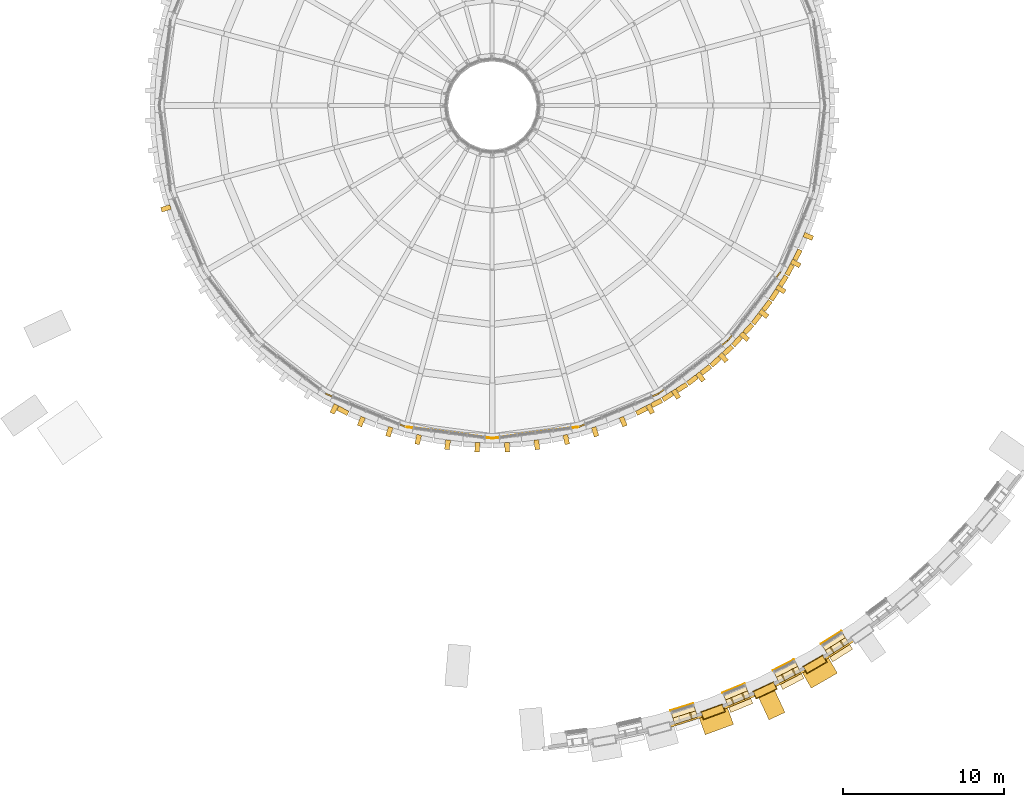
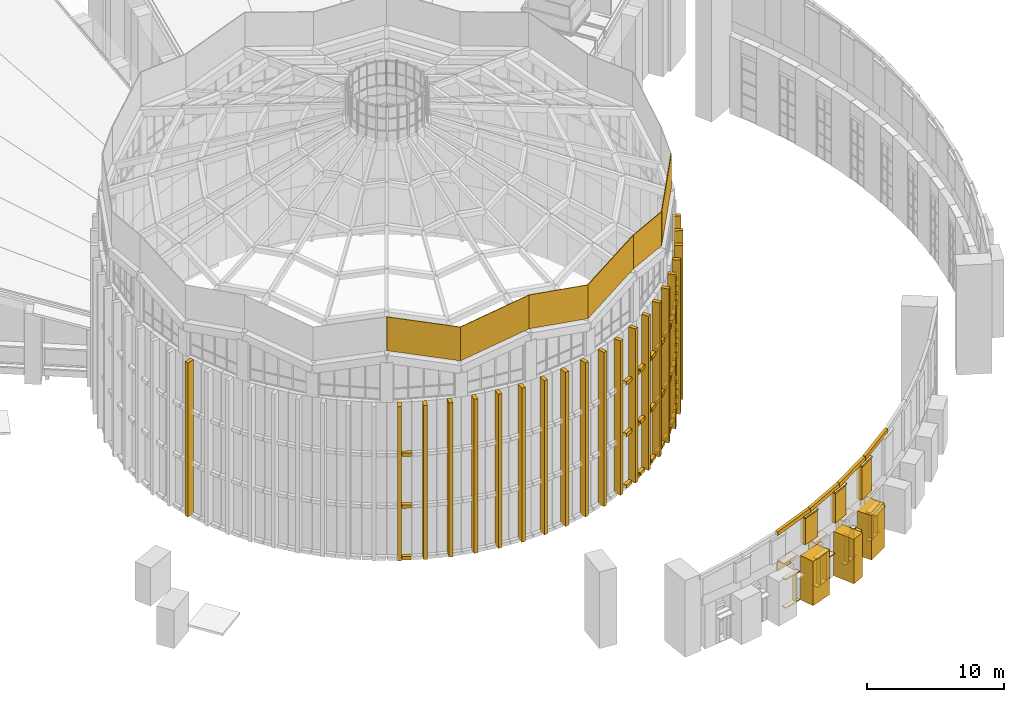
# One storey, part 64 of 82: 117 coverings.
"""IFC4 building model written with IfcOpenShell, lengths in metres."""

from ifc_helpers import new_model, si_unit, direction, frame, origin, origin_2d, place, context, subcontext, project, spatial, polyline, rectangle, outline, extrude, material, layer, layer_set, type_object, element, save


model = new_model("IFC4")

# Units and contexts
model_context = context("Model", 3, precision=1e-05, world=origin(), true_north=direction((0.0, 1.0)))
body_context = subcontext(model_context, "Body", "Model", "MODEL_VIEW")
ifc_project = project(units=[si_unit("LENGTHUNIT", "METRE"), si_unit("AREAUNIT", "SQUARE_METRE"), si_unit("VOLUMEUNIT", "CUBIC_METRE"), si_unit("PLANEANGLEUNIT", "RADIAN"), si_unit("MASSUNIT", "GRAM", prefix="KILO")], contexts=[model_context])

# Site, building, storey
site_placement = place(None, origin())
site = spatial("IfcSite", under=ifc_project, at=site_placement, CompositionType="ELEMENT")
building_placement = place(site_placement, origin())
building = spatial("IfcBuilding", under=site, at=building_placement, Name="Volute Hill Aquarium", CompositionType="ELEMENT")
storey_placement = place(building_placement, frame((0.0, 0.0, 13.800048828125)))
storey = spatial("IfcBuildingStorey", under=building, at=storey_placement, Name="L04", CompositionType="ELEMENT", Elevation=13.800048828125)

# Coverings
ifc_material_1 = material(Name="Precast concrete C40/50", Category="concrete")
covering_type_1 = type_object("IfcCoveringType", Name="Crown coping beam precast concrete C40/50 250x350", PredefinedType="CLADDING", material=ifc_material_1)
covering_1_placement = place(storey_placement, frame((10.42431640625, -38.88330078125, 7.045654296875), z_axis=(0.300747562441, -0.95370378194, 0.0), x_axis=(0.950404397433, 0.299707111657, 0.083109136458)))
element("IfcCovering", 1, at=covering_1_placement, inside=storey, type_object=covering_type_1, Name="Crown coping beam PCB S3 b02", PredefinedType="CLADDING", context=body_context, shape_type="SweptSolid", body=[
    extrude(outline(polyline([(0.0, 0.0), (3.513358457877813, 0.0), (3.5424547717645574, 0.3488864764216969), (0.02909631388674424, 0.34888647642169685), (0.0, 0.0)])), origin(), (0.0, 0.0, -1.0), 0.25),
])
covering_2_placement = place(storey_placement, frame((13.773681640625, -37.82666015625, 7.337646484375), z_axis=(0.382653593666, -0.923891891541, 0.0), x_axis=(0.920694937165, 0.381329492771, 0.083118292939)))
element("IfcCovering", 2, at=covering_2_placement, inside=storey, type_object=covering_type_1, Name="Crown coping beam PCB S3 b03", PredefinedType="CLADDING", context=body_context, shape_type="SweptSolid", body=[
    extrude(outline(polyline([(0.0, 0.0), (3.5129714191299213, -5.551115123125783e-17), (3.542050646127222, 0.3486429132399102), (0.029099519549287838, 0.34888620906212936), (0.0, 0.0)])), origin(), (0.0, 0.0, -1.0), 0.25),
])
covering_3_placement = place(storey_placement, frame((17.017822265625, -36.482421875, 7.629638671875), z_axis=(0.46176985222, -0.886999776539, 0.0), x_axis=(0.883930964592, 0.460172236441, 0.083111747929)))
element("IfcCovering", 3, at=covering_3_placement, inside=storey, type_object=covering_type_1, Name="Crown coping beam PCB S3 b04", PredefinedType="CLADDING", context=body_context, shape_type="SweptSolid", body=[
    extrude(outline(polyline([(0.0, 0.0), (3.5132480639280885, -5.551115123125783e-17), (3.5423250011306644, 0.3486431042170339), (0.029076937202576134, 0.3486431042170339), (0.0, 0.0)])), origin(), (0.0, 0.0, -1.0), 0.25),
])
covering_4_placement = place(storey_placement, frame((20.1328125, -34.8603515625, 7.921630859375), z_axis=(0.537281513673, -0.843402973118, 0.0), x_axis=(0.840489943547, 0.535425797026, 0.083041379292)))
element("IfcCovering", 4, at=covering_4_placement, inside=storey, type_object=covering_type_1, Name="Crown coping beam PCB S3 b05", PredefinedType="CLADDING", context=body_context, shape_type="SweptSolid", body=[
    extrude(outline(polyline([(0.0, 0.0), (3.5132851761585413, 0.0), (3.5423577684205036, 0.3488884539375199), (0.029052318487720757, 0.3486451565498368), (0.0, 0.0)])), origin(), (0.0, 0.0, -1.0), 0.25),
])
ifc_material_2 = material(Name="Precast pale concrete C40/50", Category="concrete")
covering_type_2 = type_object("IfcCoveringType", Name="Drum pier fin 300x600", PredefinedType="CLADDING", material=ifc_material_2)
for number, where, z_axis, x_axis, name in (
    (5, (-20.29541015625, -6.399169921875, 0.0), (0.0, 0.0, 1.0), (0.300705799504, -0.953716950748, 0.0), "Drum pier fin DF 40 L04"),
    (6, (-9.826171875, -18.8759765625, 0.0), (0.0, 0.0, 1.0), (0.887010833178, -0.461748613235, 0.0), "Drum pier fin DF 49 L04"),
    (7, (-8.1435546875, -19.660400390625, 0.0), (0.0, 0.0, 1.0), (0.923879532511, -0.382683432365, 0.0), "Drum pier fin DF 50 L04"),
    (8, (-6.399169921875, -20.29541015625, 0.0), (0.0, 0.0, 1.0), (0.953716950748, -0.300705799504, 0.0), "Drum pier fin DF 51 L04"),
    (9, (-4.60595703125, -20.77587890625, 0.0), (0.0, 0.0, 1.0), (0.97629600712, -0.216439613938, 0.0), "Drum pier fin DF 52 L04"),
    (10, (-2.777587890625, -21.09814453125, 0.0), (0.0, 0.0, 1.0), (0.991444861374, -0.13052619222, 0.0), "Drum pier fin DF 53 L04"),
    (11, (-0.92822265625, -21.260009765625, 0.0), (0.0, 0.0, 1.0), (0.999048221582, -0.043619387365, 0.0), "Drum pier fin DF 54 L04"),
    (12, (0.92822265625, -21.260009765625, 0.0), (0.0, 0.0, 1.0), (0.999048221582, 0.043619387365, 0.0), "Drum pier fin DF 55 L04"),
    (13, (2.777587890625, -21.09814453125, 0.0), (0.0, 0.0, 1.0), (0.991444861374, 0.13052619222, 0.0), "Drum pier fin DF 56 L04"),
    (14, (4.60595703125, -20.77587890625, 0.0), (0.0, 0.0, 1.0), (0.97629600712, 0.216439613938, 0.0), "Drum pier fin DF 57 L04"),
    (15, (6.399169921875, -20.29541015625, 0.0), (0.0, 0.0, 1.0), (0.953716950748, 0.300705799504, 0.0), "Drum pier fin DF 58 L04"),
    (16, (8.1435546875, -19.660400390625, 0.0), (0.0, 0.0, 1.0), (0.923879532511, 0.382683432365, 0.0), "Drum pier fin DF 59 L04"),
    (17, (9.826171875, -18.8759765625, 0.0), (0.0, 0.0, 1.0), (0.887010833178, 0.461748613235, 0.0), "Drum pier fin DF 60 L04"),
    (18, (11.433837890625, -17.947509765625, 0.0), (0.0, 0.0, 1.0), (0.843391445813, 0.537299608347, 0.0), "Drum pier fin DF 61 L04"),
    (19, (12.95458984375, -16.8828125, 0.0), (0.0, 0.0, 1.0), (0.793353340291, 0.608761429009, 0.0), "Drum pier fin DF 62 L04"),
    (20, (14.376708984375, -15.689453125, 0.0), (0.0, 0.0, 1.0), (0.73727733681, 0.675590207616, 0.0), "Drum pier fin DF 63 L04"),
    (21, (15.689453125, -14.376708984375, 0.0), (0.0, 0.0, 1.0), (0.675590207616, 0.73727733681, 0.0), "Drum pier fin DF 64 L04"),
    (22, (16.8828125, -12.95458984375, 0.0), (0.0, 0.0, 1.0), (0.608761429009, 0.793353340291, 0.0), "Drum pier fin DF 65 L04"),
    (23, (17.947509765625, -11.433837890625, 0.0), (0.0, 0.0, 1.0), (0.537299608347, 0.843391445813, 0.0), "Drum pier fin DF 66 L04"),
    (24, (18.8759765625, -9.826171875, 0.0), (0.0, 0.0, 1.0), (0.461748613235, 0.887010833178, 0.0), "Drum pier fin DF 67 L04"),
):
    element("IfcCovering", number, at=place(storey_placement, frame(where, z_axis=z_axis, x_axis=x_axis)), inside=storey, type_object=covering_type_2, Name=name, PredefinedType="CLADDING", context=body_context, shape_type="SweptSolid", body=[
        extrude(rectangle(XDim=0.300048828125, YDim=0.60009765625, at=origin_2d()), origin(), (0.0, 0.0, 1.0), 13.699951171875),
    ])
covering_5_placement = place(storey_placement, frame((19.660400390625, -8.1435546875, 1.199951171875), z_axis=(0.0, 0.0, 1.0), x_axis=(0.382683432365, 0.923879532511, 0.0)))
element("IfcCovering", 25, at=covering_5_placement, inside=storey, type_object=covering_type_2, Name="Drum pier fin DF 68 L04", PredefinedType="CLADDING", context=body_context, shape_type="SweptSolid", body=[
    extrude(rectangle(XDim=0.300048828125, YDim=0.60009765625, at=origin_2d()), origin(), (0.0, 0.0, 1.0), 12.5),
])
ifc_material_3 = material(Name="Precast concrete C40/50", Category="concrete")
covering_type_3 = type_object("IfcCoveringType", Name="Drum string course precast concrete C40/50 715x300", PredefinedType="CLADDING", material=ifc_material_3)
for number, where, z_axis, x_axis, name in (
    (26, (-9.2890625, -18.986328125, -0.14990234375), (0.0, 0.0, 1.0), (0.887010833178, -0.461748613235, 0.0), "Drum string course DSC 49.1"),
    (27, (-9.2890625, -18.986328125, 4.44970703125), (0.0, 0.0, 1.0), (0.887010833178, -0.461748613235, 0.0), "Drum string course DSC 49.2"),
    (28, (-9.2890625, -18.986328125, 9.0498046875), (0.0, 0.0, 1.0), (0.887010833178, -0.461748613235, 0.0), "Drum string course DSC 49.3"),
    (29, (9.2890625, -18.986328125, -0.14990234375), (0.0, 0.0, 1.0), (0.887010833178, 0.461748613235, 0.0), "Drum string course DSC 60.1"),
    (30, (10.224853515625, -18.499267578125, -0.14990234375), (0.0, 0.0, 1.0), (0.887010833178, 0.461748613235, 0.0), "Drum string course DSC 60.1"),
    (31, (9.2890625, -18.986328125, 4.44970703125), (0.0, 0.0, 1.0), (0.887010833178, 0.461748613235, 0.0), "Drum string course DSC 60.2"),
    (32, (10.224853515625, -18.499267578125, 4.44970703125), (0.0, 0.0, 1.0), (0.887010833178, 0.461748613235, 0.0), "Drum string course DSC 60.2"),
    (33, (9.2890625, -18.986328125, 9.0498046875), (0.0, 0.0, 1.0), (0.887010833178, 0.461748613235, 0.0), "Drum string course DSC 60.3"),
    (34, (10.224853515625, -18.499267578125, 9.0498046875), (0.0, 0.0, 1.0), (0.887010833178, 0.461748613235, 0.0), "Drum string course DSC 60.3"),
    (35, (10.908447265625, -18.1044921875, -0.14990234375), (0.0, 0.0, 1.0), (0.843391445813, 0.537299608347, 0.0), "Drum string course DSC 61.1"),
    (36, (11.798095703125, -17.53759765625, -0.14990234375), (0.0, 0.0, 1.0), (0.843391445813, 0.537299608347, 0.0), "Drum string course DSC 61.1"),
    (37, (10.908447265625, -18.1044921875, 4.44970703125), (0.0, 0.0, 1.0), (0.843391445813, 0.537299608347, 0.0), "Drum string course DSC 61.2"),
    (38, (11.798095703125, -17.53759765625, 4.44970703125), (0.0, 0.0, 1.0), (0.843391445813, 0.537299608347, 0.0), "Drum string course DSC 61.2"),
    (39, (10.908447265625, -18.1044921875, 9.0498046875), (0.0, 0.0, 1.0), (0.843391445813, 0.537299608347, 0.0), "Drum string course DSC 61.3"),
    (40, (11.798095703125, -17.53759765625, 9.0498046875), (0.0, 0.0, 1.0), (0.843391445813, 0.537299608347, 0.0), "Drum string course DSC 61.3"),
    (41, (12.44482421875, -17.0849609375, -0.14990234375), (0.0, 0.0, 1.0), (0.793353340291, 0.608761429009, 0.0), "Drum string course DSC 62.1"),
    (42, (13.28173828125, -16.442626953125, -0.14990234375), (0.0, 0.0, 1.0), (0.793353340291, 0.608761429009, 0.0), "Drum string course DSC 62.1"),
    (43, (12.44482421875, -17.0849609375, 4.44970703125), (0.0, 0.0, 1.0), (0.793353340291, 0.608761429009, 0.0), "Drum string course DSC 62.2"),
    (44, (13.28173828125, -16.442626953125, 4.44970703125), (0.0, 0.0, 1.0), (0.793353340291, 0.608761429009, 0.0), "Drum string course DSC 62.2"),
    (45, (12.44482421875, -17.0849609375, 9.0498046875), (0.0, 0.0, 1.0), (0.793353340291, 0.608761429009, 0.0), "Drum string course DSC 62.3"),
    (46, (13.28173828125, -16.442626953125, 9.0498046875), (0.0, 0.0, 1.0), (0.793353340291, 0.608761429009, 0.0), "Drum string course DSC 62.3"),
    (47, (13.886474609375, -15.935302734375, -0.14990234375), (0.0, 0.0, 1.0), (0.73727733681, 0.675590207616, 0.0), "Drum string course DSC 63.1"),
    (48, (14.664306640625, -15.22265625, -0.14990234375), (0.0, 0.0, 1.0), (0.73727733681, 0.675590207616, 0.0), "Drum string course DSC 63.1"),
    (49, (13.886474609375, -15.935302734375, 4.44970703125), (0.0, 0.0, 1.0), (0.73727733681, 0.675590207616, 0.0), "Drum string course DSC 63.2"),
    (50, (14.664306640625, -15.22265625, 4.44970703125), (0.0, 0.0, 1.0), (0.73727733681, 0.675590207616, 0.0), "Drum string course DSC 63.2"),
    (51, (13.886474609375, -15.935302734375, 9.0498046875), (0.0, 0.0, 1.0), (0.73727733681, 0.675590207616, 0.0), "Drum string course DSC 63.3"),
    (52, (14.664306640625, -15.22265625, 9.0498046875), (0.0, 0.0, 1.0), (0.73727733681, 0.675590207616, 0.0), "Drum string course DSC 63.3"),
    (53, (15.22265625, -14.664306640625, -0.14990234375), (0.0, 0.0, 1.0), (0.675590207616, 0.73727733681, 0.0), "Drum string course DSC 64.1"),
    (54, (15.935302734375, -13.886474609375, -0.14990234375), (0.0, 0.0, 1.0), (0.675590207616, 0.73727733681, 0.0), "Drum string course DSC 64.1"),
    (55, (15.22265625, -14.664306640625, 4.44970703125), (0.0, 0.0, 1.0), (0.675590207616, 0.73727733681, 0.0), "Drum string course DSC 64.2"),
    (56, (15.935302734375, -13.886474609375, 4.44970703125), (0.0, 0.0, 1.0), (0.675590207616, 0.73727733681, 0.0), "Drum string course DSC 64.2"),
    (57, (15.22265625, -14.664306640625, 9.0498046875), (0.0, 0.0, 1.0), (0.675590207616, 0.73727733681, 0.0), "Drum string course DSC 64.3"),
    (58, (15.935302734375, -13.886474609375, 9.0498046875), (0.0, 0.0, 1.0), (0.675590207616, 0.73727733681, 0.0), "Drum string course DSC 64.3"),
    (59, (16.442626953125, -13.28173828125, -0.14990234375), (0.0, 0.0, 1.0), (0.608761429009, 0.793353340291, 0.0), "Drum string course DSC 65.1"),
    (60, (17.0849609375, -12.44482421875, -0.14990234375), (0.0, 0.0, 1.0), (0.608761429009, 0.793353340291, 0.0), "Drum string course DSC 65.1"),
    (61, (16.442626953125, -13.28173828125, 4.44970703125), (0.0, 0.0, 1.0), (0.608761429009, 0.793353340291, 0.0), "Drum string course DSC 65.2"),
    (62, (17.0849609375, -12.44482421875, 4.44970703125), (0.0, 0.0, 1.0), (0.608761429009, 0.793353340291, 0.0), "Drum string course DSC 65.2"),
    (63, (16.442626953125, -13.28173828125, 9.0498046875), (0.0, 0.0, 1.0), (0.608761429009, 0.793353340291, 0.0), "Drum string course DSC 65.3"),
    (64, (17.0849609375, -12.44482421875, 9.0498046875), (0.0, 0.0, 1.0), (0.608761429009, 0.793353340291, 0.0), "Drum string course DSC 65.3"),
    (65, (17.53759765625, -11.798095703125, -0.14990234375), (0.0, 0.0, 1.0), (0.537299608347, 0.843391445813, 0.0), "Drum string course DSC 66.1"),
    (66, (18.1044921875, -10.908447265625, -0.14990234375), (0.0, 0.0, 1.0), (0.537299608347, 0.843391445813, 0.0), "Drum string course DSC 66.1"),
    (67, (17.53759765625, -11.798095703125, 4.44970703125), (0.0, 0.0, 1.0), (0.537299608347, 0.843391445813, 0.0), "Drum string course DSC 66.2"),
    (68, (18.1044921875, -10.908447265625, 4.44970703125), (0.0, 0.0, 1.0), (0.537299608347, 0.843391445813, 0.0), "Drum string course DSC 66.2"),
    (69, (17.53759765625, -11.798095703125, 9.0498046875), (0.0, 0.0, 1.0), (0.537299608347, 0.843391445813, 0.0), "Drum string course DSC 66.3"),
    (70, (18.1044921875, -10.908447265625, 9.0498046875), (0.0, 0.0, 1.0), (0.537299608347, 0.843391445813, 0.0), "Drum string course DSC 66.3"),
    (71, (18.499267578125, -10.224853515625, -0.14990234375), (0.0, 0.0, 1.0), (0.461748613235, 0.887010833178, 0.0), "Drum string course DSC 67.1"),
    (72, (18.986328125, -9.2890625, -0.14990234375), (0.0, 0.0, 1.0), (0.461748613235, 0.887010833178, 0.0), "Drum string course DSC 67.1"),
    (73, (18.499267578125, -10.224853515625, 4.44970703125), (0.0, 0.0, 1.0), (0.461748613235, 0.887010833178, 0.0), "Drum string course DSC 67.2"),
    (74, (18.986328125, -9.2890625, 4.44970703125), (0.0, 0.0, 1.0), (0.461748613235, 0.887010833178, 0.0), "Drum string course DSC 67.2"),
    (75, (18.499267578125, -10.224853515625, 9.0498046875), (0.0, 0.0, 1.0), (0.461748613235, 0.887010833178, 0.0), "Drum string course DSC 67.3"),
    (76, (18.986328125, -9.2890625, 9.0498046875), (0.0, 0.0, 1.0), (0.461748613235, 0.887010833178, 0.0), "Drum string course DSC 67.3"),
):
    element("IfcCovering", number, at=place(storey_placement, frame(where, z_axis=z_axis, x_axis=x_axis)), inside=storey, type_object=covering_type_3, Name=name, PredefinedType="CLADDING", context=body_context, shape_type="SweptSolid", body=[
        extrude(rectangle(XDim=0.71484375, YDim=0.300048828125, at=origin_2d()), origin(), (0.0, 0.0, 1.0), 0.300048828125),
    ])
ifc_material_4 = material(Name="Zinc")
ifc_layer_1 = layer(ifc_material_4, 0.06005859375)
ifc_layer_set_1 = layer_set([ifc_layer_1], Name="Eave fascia zinc 60")
covering_type_4 = type_object("IfcCoveringType", Name="Eave fascia zinc 60", PredefinedType="CLADDING", material=ifc_layer_set_1)
covering_6_placement = place(storey_placement, frame((-10.361572265625, -17.95458984375, 18.099853515625), z_axis=(-0.382673670509, -0.923883575944, 0.0), x_axis=(0.894359389043, -0.370444717355, -0.250782763791)))
element("IfcCovering", 77, at=covering_6_placement, inside=storey, type_object=covering_type_4, Name="Eave fascia EF 17", PredefinedType="CLADDING", context=body_context, shape_type="SweptSolid", body=[
    extrude(outline(polyline([(0.0, 0.0), (5.582131413601545, 2.220446049250313e-16), (4.829783122227233, 2.9041301707165523), (-0.7523482913743128, 2.9041301707165523), (0.0, 0.0)])), origin(), (0.0, 0.0, -1.0), 0.06005859375),
])
covering_7_placement = place(storey_placement, frame((-5.361572265625, -20.0244140625, 16.699951171875), z_axis=(-0.130521126954, -0.991445528216, 0.0), x_axis=(0.959763944084, -0.126350331942, 0.250776325148)))
element("IfcCovering", 78, at=covering_7_placement, inside=storey, type_object=covering_type_4, Name="Eave fascia EF 18", PredefinedType="CLADDING", context=body_context, shape_type="SweptSolid", body=[
    extrude(outline(polyline([(0.0, 0.0), (5.582274733959821, -2.220446049250313e-16), (6.334603709404373, 2.9041351746615636), (0.7523289754445518, 2.9041351746615636), (0.0, 0.0)])), origin(), (0.0, 0.0, -1.0), 0.06005859375),
])
covering_8_placement = place(storey_placement, frame((0.00390625, -20.729736328125, 18.099853515625), z_axis=(0.130521126954, -0.991445528216, 0.0), x_axis=(0.959763944084, 0.126350331942, -0.250776325148)))
element("IfcCovering", 79, at=covering_8_placement, inside=storey, type_object=covering_type_4, Name="Eave fascia EF 19", PredefinedType="CLADDING", context=body_context, shape_type="SweptSolid", body=[
    extrude(outline(polyline([(0.0, 0.0), (5.582274733959821, 2.220446049250313e-16), (4.829945758515269, 2.9041351746615636), (-0.7523289754445518, 2.9041351746615636), (0.0, 0.0)])), origin(), (0.0, 0.0, -1.0), 0.06005859375),
])
covering_9_placement = place(storey_placement, frame((5.369140625, -20.0224609375, 16.699951171875), z_axis=(0.382673670509, -0.923883575944, 0.0), x_axis=(0.894359389043, 0.370444717355, 0.250782763791)))
element("IfcCovering", 80, at=covering_9_placement, inside=storey, type_object=covering_type_4, Name="Eave fascia EF 20", PredefinedType="CLADDING", context=body_context, shape_type="SweptSolid", body=[
    extrude(outline(polyline([(0.0, 0.0), (5.582131413601545, -2.220446049250313e-16), (6.334479704975858, 2.9041301707165523), (0.7523482913743128, 2.9041301707165523), (0.0, 0.0)])), origin(), (0.0, 0.0, -1.0), 0.06005859375),
])
covering_10_placement = place(storey_placement, frame((10.368408203125, -17.950439453125, 18.099853515625), z_axis=(0.608753981167, -0.793359055165, 0.0), x_axis=(0.768005978347, 0.58930025924, -0.250782817759)))
element("IfcCovering", 81, at=covering_10_placement, inside=storey, type_object=covering_type_4, Name="Eave fascia EF 21", PredefinedType="CLADDING", context=body_context, shape_type="SweptSolid", body=[
    extrude(outline(polyline([(0.0, 0.0), (5.582130212353714, -2.220446049250313e-16), (4.829781759077633, 2.9041301287740344), (-0.7523484532760814, 2.904130128774035), (0.0, 0.0)])), origin(), (0.0, 0.0, -1.0), 0.06005859375),
])
covering_11_placement = place(storey_placement, frame((14.660888671875, -14.655517578125, 16.699951171875), z_axis=(0.793359055165, -0.608753981167, 0.0), x_axis=(0.58930025924, 0.768005978347, 0.250782817759)))
element("IfcCovering", 82, at=covering_11_placement, inside=storey, type_object=covering_type_4, Name="Eave fascia EF 22", PredefinedType="CLADDING", context=body_context, shape_type="SweptSolid", body=[
    extrude(outline(polyline([(0.0, 0.0), (5.582130212353714, 2.220446049250313e-16), (6.3344786656297964, 2.9041301287740353), (0.7523484532760814, 2.904130128774035), (0.0, 0.0)])), origin(), (0.0, 0.0, -1.0), 0.06005859375),
])
ifc_material_5 = material(Name="Aluminium, anodised", Category="aluminium")
ifc_layer_2 = layer(ifc_material_5, 0.080078125)
ifc_layer_set_2 = layer_set([ifc_layer_2], Name="Horizontal brise-soleil eyebrow 900x80")
covering_type_5 = type_object("IfcCoveringType", Name="Horizontal brise-soleil eyebrow 900x80", PredefinedType="CLADDING", material=ifc_layer_set_2)
for number, where, z_axis, x_axis, name in (
    (83, (15.350341796875, -37.058837890625, 2.405029296875), (0.0, 0.0, 1.0), (0.923875360833, 0.382693503532, 0.0), "Brise-soleil eyebrow BS S3 L04 4.1"),
    (84, (18.521728515625, -35.580078125, 2.405029296875), (0.0, 0.0, 1.0), (0.887014858172, 0.461740881211, 0.0), "Brise-soleil eyebrow BS S3 L04 5.1"),
    (85, (21.55224609375, -33.830322265625, 2.405029296875), (0.0, 0.0, 1.0), (0.843389121011, 0.537303257537, 0.0), "Brise-soleil eyebrow BS S3 L04 6.1"),
):
    element("IfcCovering", number, at=place(storey_placement, frame(where, z_axis=z_axis, x_axis=x_axis)), inside=storey, type_object=covering_type_5, Name=name, PredefinedType="CLADDING", context=body_context, shape_type="SweptSolid", body=[
        extrude(rectangle(XDim=1.4892578125, YDim=0.89990234375, at=origin_2d()), origin(), (0.0, 0.0, 1.0), 0.080078125),
    ])
ifc_material_6 = material(Name="Precast concrete C40/50", Category="concrete")
ifc_layer_3 = layer(ifc_material_6, 0.10009765625)
ifc_layer_set_3 = layer_set([ifc_layer_3], Name="Niche cap precast concrete C40/50 100")
covering_type_6 = type_object("IfcCoveringType", Name="Niche cap precast concrete C40/50 100", PredefinedType="CLADDING", material=ifc_layer_set_3)
for number, where, z_axis, x_axis, name in (
    (86, (11.904052734375, -37.755126953125, 3.841796875), (0.0, 0.0, 1.0), (0.953713922474, 0.300715403793, 0.0), "Niche cap NC S3 L04 3"),
    (87, (15.1494140625, -36.57373046875, 3.841796875), (0.0, 0.0, 1.0), (0.923875360833, 0.382693503532, 0.0), "Niche cap NC S3 L04 4"),
    (88, (18.279296875, -35.1142578125, 3.841796875), (0.0, 0.0, 1.0), (0.887014858172, 0.461740881211, 0.0), "Niche cap NC S3 L04 5"),
    (89, (21.270263671875, -33.387451171875, 3.841796875), (0.0, 0.0, 1.0), (0.843389121011, 0.537303257537, 0.0), "Niche cap NC S3 L04 6"),
):
    element("IfcCovering", number, at=place(storey_placement, frame(where, z_axis=z_axis, x_axis=x_axis)), inside=storey, type_object=covering_type_6, Name=name, PredefinedType="CLADDING", context=body_context, shape_type="SweptSolid", body=[
        extrude(rectangle(XDim=1.4892578125, YDim=0.64990234375, at=origin_2d()), origin(), (0.0, 0.0, 1.0), 0.10009765625),
    ])
ifc_material_7 = material(Name="Zinc")
ifc_layer_4 = layer(ifc_material_7, 0.050048828125)
ifc_layer_set_4 = layer_set([ifc_layer_4], Name="Niche head cladding panel 50")
covering_type_7 = type_object("IfcCoveringType", Name="Niche head cladding panel 50", PredefinedType="CLADDING", material=ifc_layer_set_4)
for number, where, z_axis, x_axis, name in (
    (90, (11.798828125, -37.421142578125, 2.89501953125), (0.0, 0.0, 1.0), (0.953713922474, 0.300715403793, 0.0), "Niche head cladding NF S3 L04 3"),
    (91, (15.015380859375, -36.25048828125, 2.89501953125), (0.0, 0.0, 1.0), (0.923875360833, 0.382693503532, 0.0), "Niche head cladding NF S3 L04 4"),
    (92, (18.11767578125, -34.803955078125, 2.89501953125), (0.0, 0.0, 1.0), (0.887014858172, 0.461740881211, 0.0), "Niche head cladding NF S3 L04 5"),
    (93, (21.08203125, -33.09228515625, 2.89501953125), (0.0, 0.0, 1.0), (0.843389121011, 0.537303257537, 0.0), "Niche head cladding NF S3 L04 6"),
):
    element("IfcCovering", number, at=place(storey_placement, frame(where, z_axis=z_axis, x_axis=x_axis)), inside=storey, type_object=covering_type_7, Name=name, PredefinedType="CLADDING", context=body_context, shape_type="SweptSolid", body=[
        extrude(rectangle(XDim=1.4892578125, YDim=0.050048828125, at=origin_2d()), origin(), (0.0, 0.0, 1.0), 1.046875),
    ])
ifc_material_8 = material(Name="Precast concrete C40/50", Category="concrete")
ifc_layer_5 = layer(ifc_material_8, 0.1201171875)
ifc_layer_set_5 = layer_set([ifc_layer_5], Name="Pier crown coping precast concrete C40/50 1482x550")
covering_type_8 = type_object("IfcCoveringType", Name="Pier crown coping precast concrete C40/50 1482x550", PredefinedType="CLADDING", material=ifc_layer_set_5)
for number, where, z_axis, x_axis, name in (
    (94, (13.725830078125, -37.711181640625, 7.217529296875), (0.0, 0.0, 1.0), (0.939692620786, 0.342020143326, 0.0), "Pier crown coping PCC S3 3"),
    (95, (16.960205078125, -36.37158203125, 7.509521484375), (0.0, 0.0, 1.0), (0.906307787037, 0.422618261741, 0.0), "Pier crown coping PCC S3 4"),
    (96, (20.065673828125, -34.7548828125, 7.801513671875), (0.0, 0.0, 1.0), (0.866025403784, 0.5, 0.0), "Pier crown coping PCC S3 5"),
):
    element("IfcCovering", number, at=place(storey_placement, frame(where, z_axis=z_axis, x_axis=x_axis)), inside=storey, type_object=covering_type_8, Name=name, PredefinedType="CLADDING", context=body_context, shape_type="SweptSolid", body=[
        extrude(rectangle(XDim=1.48193359375, YDim=0.550048828125, at=origin_2d()), origin(), (0.0, 0.0, 1.0), 0.1201171875),
    ])
ifc_material_9 = material(Name="Precast concrete C40/50", Category="concrete")
covering_type_9 = type_object("IfcCoveringType", Name="Pier crown fin precast concrete C40/50 1382x450", PredefinedType="CLADDING", material=ifc_material_9)
covering_12_placement = place(storey_placement, frame((13.725830078125, -37.711181640625, 4.841796875), z_axis=(0.0, 0.0, 1.0), x_axis=(0.939692620786, 0.342020143326, 0.0)))
element("IfcCovering", 97, at=covering_12_placement, inside=storey, type_object=covering_type_9, Name="Pier crown fin PC S3 3", PredefinedType="CLADDING", context=body_context, shape_type="SweptSolid", body=[
    extrude(rectangle(XDim=1.3818359375, YDim=0.449951171875, at=origin_2d()), origin(), (0.0, 0.0, 1.0), 2.375732421875),
])
covering_13_placement = place(storey_placement, frame((16.960205078125, -36.37158203125, 4.841796875), z_axis=(0.0, 0.0, 1.0), x_axis=(0.906307787037, 0.422618261741, 0.0)))
element("IfcCovering", 98, at=covering_13_placement, inside=storey, type_object=covering_type_9, Name="Pier crown fin PC S3 4", PredefinedType="CLADDING", context=body_context, shape_type="SweptSolid", body=[
    extrude(rectangle(XDim=1.3818359375, YDim=0.449951171875, at=origin_2d()), origin(), (0.0, 0.0, 1.0), 2.667724609375),
])
covering_14_placement = place(storey_placement, frame((20.065673828125, -34.7548828125, 4.841796875), z_axis=(0.0, 0.0, 1.0), x_axis=(0.866025403784, 0.5, 0.0)))
element("IfcCovering", 99, at=covering_14_placement, inside=storey, type_object=covering_type_9, Name="Pier crown fin PC S3 5", PredefinedType="CLADDING", context=body_context, shape_type="SweptSolid", body=[
    extrude(rectangle(XDim=1.3818359375, YDim=0.449951171875, at=origin_2d()), origin(), (0.0, 0.0, 1.0), 2.959716796875),
])
ifc_material_10 = material(Name="Precast concrete C40/50", Category="concrete")
covering_type_10 = type_object("IfcCoveringType", Name="Projecting pier precast concrete C40/50 1100x1800", PredefinedType="CLADDING", material=ifc_material_10)
covering_15_placement = place(storey_placement, frame((17.330078125, -37.16455078125, 0.0), z_axis=(0.0, 0.0, 1.0), x_axis=(0.906307787037, 0.422618261741, 0.0)))
element("IfcCovering", 100, at=covering_15_placement, inside=storey, type_object=covering_type_10, Name="Projecting pier PP S3 L04 4", PredefinedType="CLADDING", context=body_context, shape_type="SweptSolid", body=[
    extrude(rectangle(XDim=1.10009765625, YDim=1.800048828125, at=origin_2d()), origin(), (0.0, 0.0, 1.0), 3.94189453125),
])
ifc_material_11 = material(Name="Precast concrete C40/50", Category="concrete")
covering_type_11 = type_object("IfcCoveringType", Name="Projecting pier precast concrete C40/50 1875x1200", PredefinedType="CLADDING", material=ifc_material_11)
for number, where, z_axis, x_axis, name in (
    (101, (13.922607421875, -38.251708984375, 0.0), (0.0, 0.0, 1.0), (0.939692620786, 0.342020143326, 0.0), "Projecting pier PP S3 L04 3"),
    (102, (20.353271484375, -35.2529296875, 0.0), (0.0, 0.0, 1.0), (0.866025403784, 0.5, 0.0), "Projecting pier PP S3 L04 5"),
):
    element("IfcCovering", number, at=place(storey_placement, frame(where, z_axis=z_axis, x_axis=x_axis)), inside=storey, type_object=covering_type_11, Name=name, PredefinedType="CLADDING", context=body_context, shape_type="SweptSolid", body=[
        extrude(rectangle(XDim=1.87548828125, YDim=1.199951171875, at=origin_2d()), origin(), (0.0, 0.0, 1.0), 3.94189453125),
    ])
ifc_material_12 = material(Name="Timber, thermally modified ash", Category="wood")
covering_type_12 = type_object("IfcCoveringType", Name="Timber louvre fin 60x400", PredefinedType="CLADDING", material=ifc_material_12)
for number, where, z_axis, x_axis, name in (
    (103, (12.35693359375, -37.953125, 0.079833984375), (0.0, 0.0, 1.0), (0.953713922474, 0.300715403793, 0.0), "Timber louvre fin S3 L04 3.1.2"),
    (104, (14.9296875, -37.0166015625, 0.079833984375), (0.0, 0.0, 1.0), (0.923875360833, 0.382693503532, 0.0), "Timber louvre fin S3 L04 4.1.1"),
    (105, (15.61767578125, -36.731689453125, 0.079833984375), (0.0, 0.0, 1.0), (0.923875360833, 0.382693503532, 0.0), "Timber louvre fin S3 L04 4.1.2"),
    (106, (18.09912109375, -35.574462890625, 0.079833984375), (0.0, 0.0, 1.0), (0.887014858172, 0.461740881211, 0.0), "Timber louvre fin S3 L04 5.1.1"),
    (107, (18.759521484375, -35.230712890625, 0.079833984375), (0.0, 0.0, 1.0), (0.887014858172, 0.461740881211, 0.0), "Timber louvre fin S3 L04 5.1.2"),
    (108, (21.130859375, -33.861572265625, 0.079833984375), (0.0, 0.0, 1.0), (0.843389121011, 0.537303257537, 0.0), "Timber louvre fin S3 L04 6.1.1"),
    (109, (21.7587890625, -33.461669921875, 0.079833984375), (0.0, 0.0, 1.0), (0.843389121011, 0.537303257537, 0.0), "Timber louvre fin S3 L04 6.1.2"),
):
    element("IfcCovering", number, at=place(storey_placement, frame(where, z_axis=z_axis, x_axis=x_axis)), inside=storey, type_object=covering_type_12, Name=name, PredefinedType="CLADDING", context=body_context, shape_type="SweptSolid", body=[
        extrude(rectangle(XDim=0.06005859375, YDim=0.39990234375, at=origin_2d()), origin(), (0.0, 0.0, 1.0), 2.43505859375),
    ])
ifc_material_13 = material(Name="Timber, thermally modified ash", Category="wood")
covering_type_13 = type_object("IfcCoveringType", Name="Timber louvre fin rail 400x80", PredefinedType="CLADDING", material=ifc_material_13)
for number, where, z_axis, x_axis, name in (
    (110, (12.001708984375, -38.06494140625, 0.0), (0.0, 0.0, 1.0), (0.953713922474, 0.300715403793, 0.0), "Timber louvre fin rail S3 L04 3.1"),
    (111, (12.001708984375, -38.06494140625, 2.514892578125), (0.0, 0.0, 1.0), (0.953713922474, 0.300715403793, 0.0), "Timber louvre fin rail S3 L04 3.2"),
    (112, (15.273681640625, -36.8740234375, 0.0), (0.0, 0.0, 1.0), (0.923875360833, 0.382693503532, 0.0), "Timber louvre fin rail S3 L04 4.1"),
    (113, (15.273681640625, -36.8740234375, 2.514892578125), (0.0, 0.0, 1.0), (0.923875360833, 0.382693503532, 0.0), "Timber louvre fin rail S3 L04 4.2"),
    (114, (18.429443359375, -35.402587890625, 0.0), (0.0, 0.0, 1.0), (0.887014858172, 0.461740881211, 0.0), "Timber louvre fin rail S3 L04 5.1"),
    (115, (18.429443359375, -35.402587890625, 2.514892578125), (0.0, 0.0, 1.0), (0.887014858172, 0.461740881211, 0.0), "Timber louvre fin rail S3 L04 5.2"),
    (116, (21.44482421875, -33.66162109375, 0.0), (0.0, 0.0, 1.0), (0.843389121011, 0.537303257537, 0.0), "Timber louvre fin rail S3 L04 6.1"),
    (117, (21.44482421875, -33.66162109375, 2.514892578125), (0.0, 0.0, 1.0), (0.843389121011, 0.537303257537, 0.0), "Timber louvre fin rail S3 L04 6.2"),
):
    element("IfcCovering", number, at=place(storey_placement, frame(where, z_axis=z_axis, x_axis=x_axis)), inside=storey, type_object=covering_type_13, Name=name, PredefinedType="CLADDING", context=body_context, shape_type="SweptSolid", body=[
        extrude(rectangle(XDim=1.4892578125, YDim=0.39990234375, at=origin_2d()), origin(), (0.0, 0.0, 1.0), 0.080078125),
    ])

save(model, "model.ifc")
